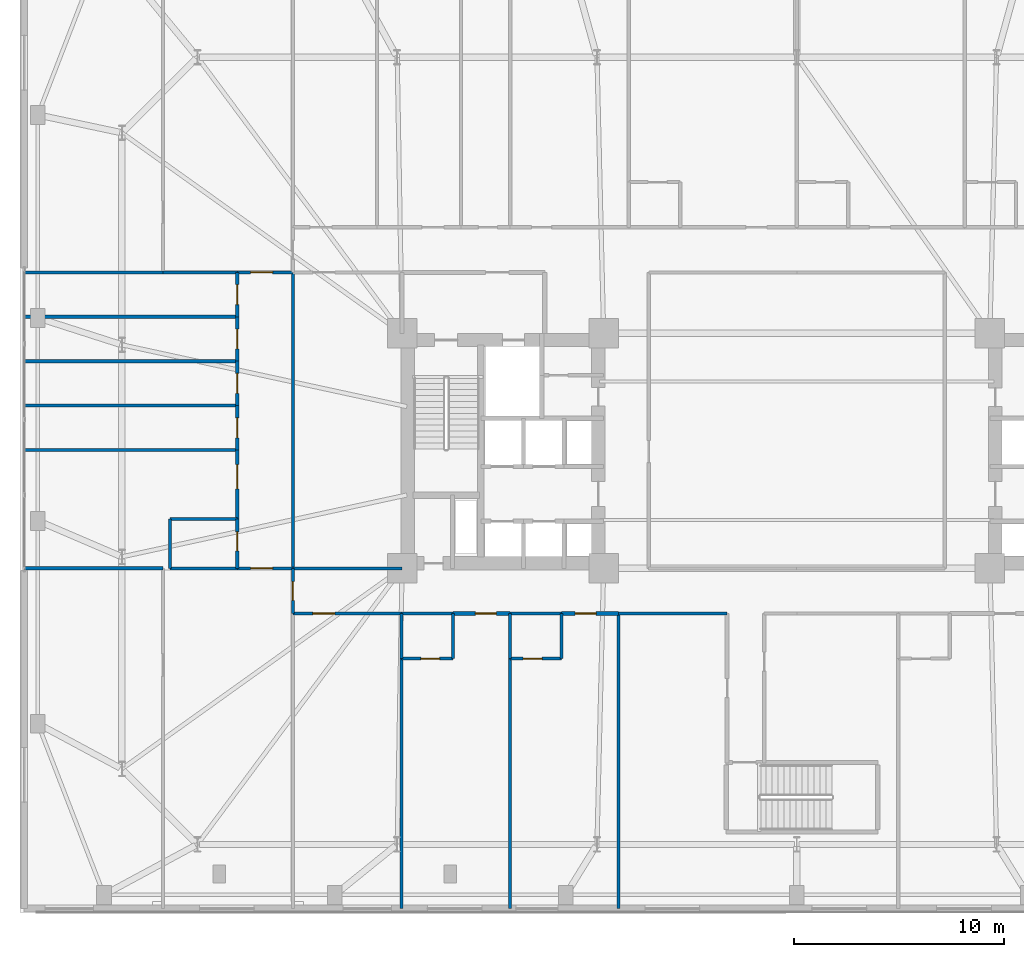
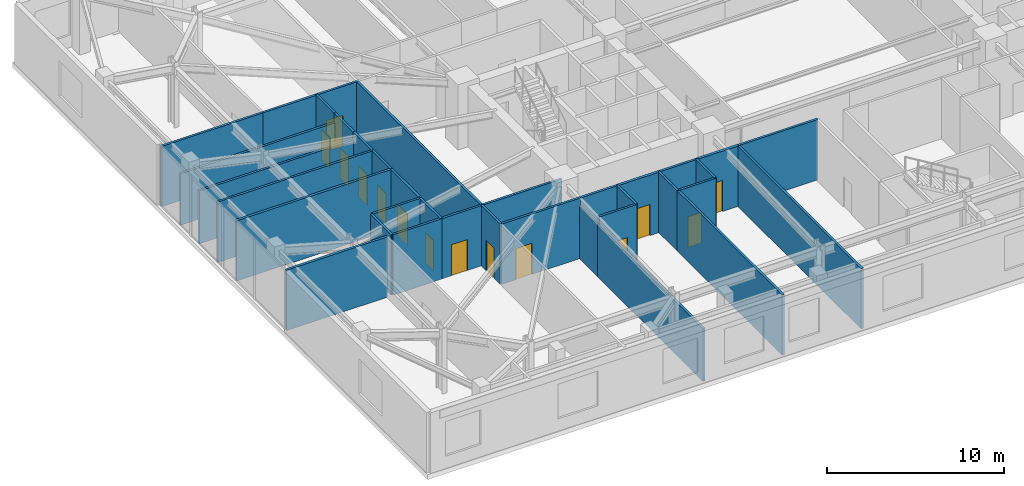
# One storey, part 11 of 21: 36 walls, 14 doors, 14 openings.
"""IFC4 building model written with IfcOpenShell, lengths in metres."""

from ifc_helpers import new_model, si_unit, direction, frame, frame_2d, origin, place, context, subcontext, project, spatial, rectangle, extrude, material, layer, layer_set, type_object, element, fill, save


model = new_model("IFC4")

# Units and contexts
model_context = context("Model", 3, precision=1e-05, world=origin(), true_north=direction((0.0, 1.0)))
body_context = subcontext(model_context, "Body", "Model", "MODEL_VIEW")
ifc_project = project(units=[si_unit("LENGTHUNIT", "METRE"), si_unit("AREAUNIT", "SQUARE_METRE"), si_unit("VOLUMEUNIT", "CUBIC_METRE"), si_unit("PLANEANGLEUNIT", "RADIAN"), si_unit("MASSUNIT", "GRAM", prefix="KILO")], contexts=[model_context])

# Site, building, storey
site_placement = place(None, origin())
site = spatial("IfcSite", under=ifc_project, at=site_placement, CompositionType="ELEMENT")
building_placement = place(site_placement, origin())
building = spatial("IfcBuilding", under=site, at=building_placement, Name="Qobustan Lattice House", CompositionType="ELEMENT")
storey_placement = place(building_placement, frame((0.0, 0.0, 18.0)))
storey = spatial("IfcBuildingStorey", under=building, at=storey_placement, Name="L04", CompositionType="ELEMENT", Elevation=18.0)

# Wall, opening, door
ifc_material_1 = material(Name="Gypsum fireboard acoustic partition", Category="gypsum")
ifc_layer_1 = layer(ifc_material_1, 0.179931640625)
ifc_layer_set_1 = layer_set([ifc_layer_1], Name="Gypsum fireboard acoustic partition")
wall_type_1 = type_object("IfcWallType", Name="WAL-FIRE-180", PredefinedType="PARTITIONING", material=ifc_layer_set_1)
wall_1_placement = place(storey_placement, frame((-13.659912109375, -7.75, 0.0), z_axis=(0.0, 0.0, 1.0), x_axis=(-1.0, 0.0, 0.0)))
wall_1 = element("IfcWall", 1, at=wall_1_placement, inside=storey, type_object=wall_type_1, Name="L04 interior partition 58", PredefinedType="PARTITIONING", context=body_context, shape_type="SweptSolid", body=[
    extrude(rectangle(XDim=2.719970703125, YDim=0.179931640625, at=frame_2d((1.35986328125, 0.0))), origin(), (0.0, 0.0, 1.0), 4.169921875),
])
opening_1_placement = place(wall_1_placement, frame((0.64990234375, 0.0, 0.0)))
opening_1 = element("IfcOpeningElement", 2, at=opening_1_placement, cuts=wall_1, Name="Opening FD-02", PredefinedType="OPENING", context=body_context, shape_type="SweptSolid", body=[
    extrude(rectangle(XDim=1.0, YDim=2.14990234375, at=frame_2d((0.5, 1.074951171875))), frame((0.0, 0.099853515625, 0.0), z_axis=(0.0, -1.0, 0.0), x_axis=(1.0, 0.0, 0.0)), (0.0, 0.0, 1.0), 0.199951171875),
])
ifc_material_2 = material(Name="Persian walnut timber and steel frame door", Category="steel")
door_type_1 = type_object("IfcDoorType", Name="DOR-UNIT-FD-1000x2150", OperationType="NOTDEFINED", PredefinedType="DOOR", material=ifc_material_2)
door_1_placement = place(opening_1_placement, origin())
door_1 = element("IfcDoor", 3, at=door_1_placement, inside=storey, type_object=door_type_1, Name="L04 South-west podium corridor to Kitchenette and studio apartment L04-S2 door", OperationType="SINGLE_SWING_RIGHT", OverallHeight=2.14990234375, OverallWidth=1.0, PredefinedType="DOOR", context=body_context, shape_type="SweptSolid", body=[
    extrude(rectangle(XDim=1.0, YDim=2.14990234375, at=frame_2d((0.5, 1.074951171875))), frame((0.0, 0.02490234375, 0.0), z_axis=(0.0, -1.0, 0.0), x_axis=(1.0, 0.0, 0.0)), (0.0, 0.0, 1.0), 0.050048828125),
])
fill(opening_1, door_1)

wall_2_placement = place(storey_placement, frame((-8.489990234375, -7.75, 0.0), z_axis=(0.0, 0.0, 1.0), x_axis=(-1.0, 0.0, 0.0)))
wall_2 = element("IfcWall", 4, at=wall_2_placement, inside=storey, type_object=wall_type_1, Name="L04 interior partition 60", PredefinedType="PARTITIONING", context=body_context, shape_type="SweptSolid", body=[
    extrude(rectangle(XDim=2.719970703125, YDim=0.179931640625, at=frame_2d((1.35986328125, 0.0))), origin(), (0.0, 0.0, 1.0), 4.169921875),
])
opening_2_placement = place(wall_2_placement, frame((1.070068359375, 0.0, 0.0)))
opening_2 = element("IfcOpeningElement", 5, at=opening_2_placement, cuts=wall_2, Name="Opening FD-02", PredefinedType="OPENING", context=body_context, shape_type="SweptSolid", body=[
    extrude(rectangle(XDim=1.0, YDim=2.14990234375, at=frame_2d((0.5, 1.074951171875))), frame((0.0, 0.099853515625, 0.0), z_axis=(0.0, -1.0, 0.0), x_axis=(1.0, 0.0, 0.0)), (0.0, 0.0, 1.0), 0.199951171875),
])
door_2_placement = place(opening_2_placement, origin())
door_2 = element("IfcDoor", 6, at=door_2_placement, inside=storey, type_object=door_type_1, Name="L04 South-west podium corridor to Kitchenette and studio apartment L04-S3 door", OperationType="SINGLE_SWING_LEFT", OverallHeight=2.14990234375, OverallWidth=1.0, PredefinedType="DOOR", context=body_context, shape_type="SweptSolid", body=[
    extrude(rectangle(XDim=1.0, YDim=2.14990234375, at=frame_2d((0.5, 1.074951171875))), frame((0.0, 0.02490234375, 0.0), z_axis=(0.0, -1.0, 0.0), x_axis=(1.0, 0.0, 0.0)), (0.0, 0.0, 1.0), 0.050048828125),
])
fill(opening_2, door_2)

ifc_material_3 = material(Name="Acoustic twin-stud gypsum partition", Category="gypsum")
ifc_layer_2 = layer(ifc_material_3, 0.14990234375)
ifc_layer_set_2 = layer_set([ifc_layer_2], Name="Acoustic twin-stud gypsum partition")
wall_type_2 = type_object("IfcWallType", Name="WAL-PART-150", PredefinedType="PARTITIONING", material=ifc_layer_set_2)
wall_3_placement = place(storey_placement, frame((-24.0, -7.75, 0.0), z_axis=(0.0, 0.0, 1.0), x_axis=(0.0, 1.0, 0.0)))
wall_3 = element("IfcWall", 7, at=wall_3_placement, inside=storey, type_object=wall_type_2, Name="L04 interior partition 55", PredefinedType="PARTITIONING", context=body_context, shape_type="SweptSolid", body=[
    extrude(rectangle(XDim=2.14990234375, YDim=0.14990234375, at=frame_2d((1.074951171875, 0.0))), origin(), (0.0, 0.0, 1.0), 4.169921875),
])
opening_3_placement = place(wall_3_placement, frame((0.625, 0.0, 0.0)))
opening_3 = element("IfcOpeningElement", 8, at=opening_3_placement, cuts=wall_3, Name="Opening WD-01", PredefinedType="OPENING", context=body_context, shape_type="SweptSolid", body=[
    extrude(rectangle(XDim=0.89990234375, YDim=2.10009765625, at=frame_2d((0.449951171875, 1.050048828125))), frame((0.0, 0.0849609375, 0.0), z_axis=(0.0, -1.0, 0.0), x_axis=(1.0, 0.0, 0.0)), (0.0, 0.0, 1.0), 0.169921875),
])
ifc_material_4 = material(Name="Persian walnut timber and steel frame door", Category="steel")
door_type_2 = type_object("IfcDoorType", Name="DOR-WET-900x2100", OperationType="NOTDEFINED", PredefinedType="DOOR", material=ifc_material_4)
door_3_placement = place(opening_3_placement, origin())
door_3 = element("IfcDoor", 9, at=door_3_placement, inside=storey, type_object=door_type_2, Name="L04 South-west podium corridor to Reading seminar room L04WS door", OperationType="SINGLE_SWING_RIGHT", OverallHeight=2.10009765625, OverallWidth=0.89990234375, PredefinedType="DOOR", context=body_context, shape_type="SweptSolid", body=[
    extrude(rectangle(XDim=0.89990234375, YDim=2.10009765625, at=frame_2d((0.449951171875, 1.050048828125))), frame((0.0, 0.02490234375, 0.0), z_axis=(0.0, -1.0, 0.0), x_axis=(1.0, 0.0, 0.0)), (0.0, 0.0, 1.0), 0.050048828125),
])
fill(opening_3, door_3)

# Wall
wall_4_placement = place(storey_placement, frame((-24.0, -5.60009765625, 0.0), z_axis=(0.0, 0.0, 1.0), x_axis=(1.0, 0.0, 0.0)))
element("IfcWall", 10, at=wall_4_placement, inside=storey, type_object=wall_type_2, Name="L04 interior partition 56", PredefinedType="PARTITIONING", context=body_context, shape_type="SweptSolid", body=[
    extrude(rectangle(XDim=5.199951171875, YDim=0.14990234375, at=frame_2d((2.60009765625, 0.0))), origin(), (0.0, 0.0, 1.0), 4.169921875),
])

# Wall, opening, door
wall_5_placement = place(storey_placement, frame((-18.830078125, -7.75, 0.0), z_axis=(0.0, 0.0, 1.0), x_axis=(-1.0, 0.0, 0.0)))
wall_5 = element("IfcWall", 11, at=wall_5_placement, inside=storey, type_object=wall_type_2, Name="L04 interior partition 57", PredefinedType="PARTITIONING", context=body_context, shape_type="SweptSolid", body=[
    extrude(rectangle(XDim=5.169921875, YDim=0.14990234375, at=frame_2d((2.5849609375, 0.0))), origin(), (0.0, 0.0, 1.0), 4.169921875),
])
opening_4_placement = place(wall_5_placement, frame((3.169921875, 0.0, 0.0)))
opening_4 = element("IfcOpeningElement", 12, at=opening_4_placement, cuts=wall_5, Name="Opening ID-02", PredefinedType="OPENING", context=body_context, shape_type="SweptSolid", body=[
    extrude(rectangle(XDim=1.050048828125, YDim=2.14990234375, at=frame_2d((0.52490234375, 1.074951171875))), frame((0.0, 0.0849609375, 0.0), z_axis=(0.0, -1.0, 0.0), x_axis=(1.0, 0.0, 0.0)), (0.0, 0.0, 1.0), 0.169921875),
])
ifc_material_5 = material(Name="Persian walnut timber and steel frame door", Category="steel")
door_type_3 = type_object("IfcDoorType", Name="DOR-STUDY-1050x2150", OperationType="NOTDEFINED", PredefinedType="DOOR", material=ifc_material_5)
door_4_placement = place(opening_4_placement, origin())
door_4 = element("IfcDoor", 13, at=door_4_placement, inside=storey, type_object=door_type_3, Name="L04 South-west podium corridor to Focus study room S1 door", OperationType="SINGLE_SWING_LEFT", OverallHeight=2.14990234375, OverallWidth=1.050048828125, PredefinedType="DOOR", context=body_context, shape_type="SweptSolid", body=[
    extrude(rectangle(XDim=1.050048828125, YDim=2.14990234375, at=frame_2d((0.52490234375, 1.074951171875))), frame((0.0, 0.02490234375, 0.0), z_axis=(0.0, -1.0, 0.0), x_axis=(1.0, 0.0, 0.0)), (0.0, 0.0, 1.0), 0.050048828125),
])
fill(opening_4, door_4)

# Wall
wall_6_placement = place(storey_placement, frame((-3.320068359375, -7.75, 0.0), z_axis=(0.0, 0.0, 1.0), x_axis=(-1.0, 0.0, 0.0)))
element("IfcWall", 14, at=wall_6_placement, inside=storey, type_object=wall_type_2, Name="L04 interior partition 62", PredefinedType="PARTITIONING", context=body_context, shape_type="SweptSolid", body=[
    extrude(rectangle(XDim=5.169921875, YDim=0.14990234375, at=frame_2d((2.5849609375, 0.0))), origin(), (0.0, 0.0, 1.0), 4.169921875),
])

# Wall, opening, door
wall_7_placement = place(storey_placement, frame((-26.64990234375, 8.5, 0.0), z_axis=(0.0, 0.0, 1.0), x_axis=(1.0, 0.0, 0.0)))
wall_7 = element("IfcWall", 15, at=wall_7_placement, inside=storey, type_object=wall_type_2, Name="L04 interior partition 79", PredefinedType="PARTITIONING", context=body_context, shape_type="SweptSolid", body=[
    extrude(rectangle(XDim=2.64990234375, YDim=0.14990234375, at=frame_2d((1.324951171875, 0.0))), origin(), (0.0, 0.0, 1.0), 4.169921875),
])
opening_5_placement = place(wall_7_placement, frame((0.635009765625, 0.0, 0.0)))
opening_5 = element("IfcOpeningElement", 16, at=opening_5_placement, cuts=wall_7, Name="Opening ID-02", PredefinedType="OPENING", context=body_context, shape_type="SweptSolid", body=[
    extrude(rectangle(XDim=1.050048828125, YDim=2.14990234375, at=frame_2d((0.52490234375, 1.074951171875))), frame((0.0, 0.0849609375, 0.0), z_axis=(0.0, -1.0, 0.0), x_axis=(1.0, 0.0, 0.0)), (0.0, 0.0, 1.0), 0.169921875),
])
door_5_placement = place(opening_5_placement, origin())
door_5 = element("IfcDoor", 17, at=door_5_placement, inside=storey, type_object=door_type_3, Name="L04 Residence entrance hall L04W to Reading seminar room L04WN door", OperationType="SINGLE_SWING_RIGHT", OverallHeight=2.14990234375, OverallWidth=1.050048828125, PredefinedType="DOOR", context=body_context, shape_type="SweptSolid", body=[
    extrude(rectangle(XDim=1.050048828125, YDim=2.14990234375, at=frame_2d((0.52490234375, 1.074951171875))), frame((0.0, 0.02490234375, 0.0), z_axis=(0.0, -1.0, 0.0), x_axis=(1.0, 0.0, 0.0)), (0.0, 0.0, 1.0), 0.050048828125),
])
fill(opening_5, door_5)

wall_8_placement = place(storey_placement, frame((-24.0, -5.60009765625, 0.0), z_axis=(0.0, 0.0, 1.0), x_axis=(-1.0, 0.0, 0.0)))
wall_8 = element("IfcWall", 18, at=wall_8_placement, inside=storey, type_object=wall_type_2, Name="L04 interior partition 80", PredefinedType="PARTITIONING", context=body_context, shape_type="SweptSolid", body=[
    extrude(rectangle(XDim=2.64990234375, YDim=0.14990234375, at=frame_2d((1.324951171875, 0.0))), origin(), (0.0, 0.0, 1.0), 4.169921875),
])
opening_6_placement = place(wall_8_placement, frame((0.965087890625, 0.0, 0.0)))
opening_6 = element("IfcOpeningElement", 19, at=opening_6_placement, cuts=wall_8, Name="Opening ID-02", PredefinedType="OPENING", context=body_context, shape_type="SweptSolid", body=[
    extrude(rectangle(XDim=1.050048828125, YDim=2.14990234375, at=frame_2d((0.52490234375, 1.074951171875))), frame((0.0, 0.0849609375, 0.0), z_axis=(0.0, -1.0, 0.0), x_axis=(1.0, 0.0, 0.0)), (0.0, 0.0, 1.0), 0.169921875),
])
door_6_placement = place(opening_6_placement, origin())
door_6 = element("IfcDoor", 20, at=door_6_placement, inside=storey, type_object=door_type_3, Name="L04 Residence entrance hall L04W to Reading seminar room L04WS door", OperationType="SINGLE_SWING_LEFT", OverallHeight=2.14990234375, OverallWidth=1.050048828125, PredefinedType="DOOR", context=body_context, shape_type="SweptSolid", body=[
    extrude(rectangle(XDim=1.050048828125, YDim=2.14990234375, at=frame_2d((0.52490234375, 1.074951171875))), frame((0.0, 0.02490234375, 0.0), z_axis=(0.0, -1.0, 0.0), x_axis=(1.0, 0.0, 0.0)), (0.0, 0.0, 1.0), 0.050048828125),
])
fill(opening_6, door_6)

wall_9_placement = place(storey_placement, frame((-26.64990234375, 0.0400390625, 0.0), z_axis=(0.0, 0.0, 1.0), x_axis=(0.0, 1.0, 0.0)))
wall_9 = element("IfcWall", 21, at=wall_9_placement, inside=storey, type_object=wall_type_2, Name="L04 interior partition 83", PredefinedType="PARTITIONING", context=body_context, shape_type="SweptSolid", body=[
    extrude(rectangle(XDim=2.114990234375, YDim=0.14990234375, at=frame_2d((1.0576171875, 0.0))), origin(), (0.0, 0.0, 1.0), 4.169921875),
])
opening_7_placement = place(wall_9_placement, frame((0.58251953125, 0.0, 0.0)))
opening_7 = element("IfcOpeningElement", 22, at=opening_7_placement, cuts=wall_9, Name="Opening ID-01", PredefinedType="OPENING", context=body_context, shape_type="SweptSolid", body=[
    extrude(rectangle(XDim=0.949951171875, YDim=2.10009765625, at=frame_2d((0.47509765625, 1.050048828125))), frame((0.0, 0.0849609375, 0.0), z_axis=(0.0, -1.0, 0.0), x_axis=(1.0, 0.0, 0.0)), (0.0, 0.0, 1.0), 0.169921875),
])
ifc_material_6 = material(Name="Persian walnut timber and steel frame door", Category="steel")
door_type_4 = type_object("IfcDoorType", Name="DOR-ROOM-950x2100", OperationType="NOTDEFINED", PredefinedType="DOOR", material=ifc_material_6)
door_7_placement = place(opening_7_placement, origin())
door_7 = element("IfcDoor", 23, at=door_7_placement, inside=storey, type_object=door_type_4, Name="L04 Residence entrance hall L04W to Cluster bedroom L04W1 door", OperationType="SINGLE_SWING_RIGHT", OverallHeight=2.10009765625, OverallWidth=0.949951171875, PredefinedType="DOOR", context=body_context, shape_type="SweptSolid", body=[
    extrude(rectangle(XDim=0.949951171875, YDim=2.10009765625, at=frame_2d((0.47509765625, 1.050048828125))), frame((0.0, 0.02490234375, 0.0), z_axis=(0.0, -1.0, 0.0), x_axis=(1.0, 0.0, 0.0)), (0.0, 0.0, 1.0), 0.050048828125),
])
fill(opening_7, door_7)

wall_10_placement = place(storey_placement, frame((-26.64990234375, 2.155029296875, 0.0), z_axis=(0.0, 0.0, 1.0), x_axis=(0.0, 1.0, 0.0)))
wall_10 = element("IfcWall", 24, at=wall_10_placement, inside=storey, type_object=wall_type_2, Name="L04 interior partition 84", PredefinedType="PARTITIONING", context=body_context, shape_type="SweptSolid", body=[
    extrude(rectangle(XDim=2.114990234375, YDim=0.14990234375, at=frame_2d((1.0576171875, 0.0))), origin(), (0.0, 0.0, 1.0), 4.169921875),
])
opening_8_placement = place(wall_10_placement, frame((0.58251953125, 0.0, 0.0)))
opening_8 = element("IfcOpeningElement", 25, at=opening_8_placement, cuts=wall_10, Name="Opening ID-01", PredefinedType="OPENING", context=body_context, shape_type="SweptSolid", body=[
    extrude(rectangle(XDim=0.949951171875, YDim=2.10009765625, at=frame_2d((0.47509765625, 1.050048828125))), frame((0.0, 0.0849609375, 0.0), z_axis=(0.0, -1.0, 0.0), x_axis=(1.0, 0.0, 0.0)), (0.0, 0.0, 1.0), 0.169921875),
])
door_8_placement = place(opening_8_placement, origin())
door_8 = element("IfcDoor", 26, at=door_8_placement, inside=storey, type_object=door_type_4, Name="L04 Residence entrance hall L04W to Cluster bedroom L04W2 door", OperationType="SINGLE_SWING_LEFT", OverallHeight=2.10009765625, OverallWidth=0.949951171875, PredefinedType="DOOR", context=body_context, shape_type="SweptSolid", body=[
    extrude(rectangle(XDim=0.949951171875, YDim=2.10009765625, at=frame_2d((0.47509765625, 1.050048828125))), frame((0.0, 0.02490234375, 0.0), z_axis=(0.0, -1.0, 0.0), x_axis=(1.0, 0.0, 0.0)), (0.0, 0.0, 1.0), 0.050048828125),
])
fill(opening_8, door_8)

wall_11_placement = place(storey_placement, frame((-26.64990234375, 4.27001953125, 0.0), z_axis=(0.0, 0.0, 1.0), x_axis=(0.0, 1.0, 0.0)))
wall_11 = element("IfcWall", 27, at=wall_11_placement, inside=storey, type_object=wall_type_2, Name="L04 interior partition 85", PredefinedType="PARTITIONING", context=body_context, shape_type="SweptSolid", body=[
    extrude(rectangle(XDim=2.114990234375, YDim=0.14990234375, at=frame_2d((1.0576171875, 0.0))), origin(), (0.0, 0.0, 1.0), 4.169921875),
])
opening_9_placement = place(wall_11_placement, frame((0.58251953125, 0.0, 0.0)))
opening_9 = element("IfcOpeningElement", 28, at=opening_9_placement, cuts=wall_11, Name="Opening ID-01", PredefinedType="OPENING", context=body_context, shape_type="SweptSolid", body=[
    extrude(rectangle(XDim=0.949951171875, YDim=2.10009765625, at=frame_2d((0.47509765625, 1.050048828125))), frame((0.0, 0.0849609375, 0.0), z_axis=(0.0, -1.0, 0.0), x_axis=(1.0, 0.0, 0.0)), (0.0, 0.0, 1.0), 0.169921875),
])
door_9_placement = place(opening_9_placement, origin())
door_9 = element("IfcDoor", 29, at=door_9_placement, inside=storey, type_object=door_type_4, Name="L04 Residence entrance hall L04W to Cluster bedroom L04W3 door", OperationType="SINGLE_SWING_RIGHT", OverallHeight=2.10009765625, OverallWidth=0.949951171875, PredefinedType="DOOR", context=body_context, shape_type="SweptSolid", body=[
    extrude(rectangle(XDim=0.949951171875, YDim=2.10009765625, at=frame_2d((0.47509765625, 1.050048828125))), frame((0.0, 0.02490234375, 0.0), z_axis=(0.0, -1.0, 0.0), x_axis=(1.0, 0.0, 0.0)), (0.0, 0.0, 1.0), 0.050048828125),
])
fill(opening_9, door_9)

wall_12_placement = place(storey_placement, frame((-26.64990234375, 6.385009765625, 0.0), z_axis=(0.0, 0.0, 1.0), x_axis=(0.0, 1.0, 0.0)))
wall_12 = element("IfcWall", 30, at=wall_12_placement, inside=storey, type_object=wall_type_2, Name="L04 interior partition 86", PredefinedType="PARTITIONING", context=body_context, shape_type="SweptSolid", body=[
    extrude(rectangle(XDim=2.114990234375, YDim=0.14990234375, at=frame_2d((1.0576171875, 0.0))), origin(), (0.0, 0.0, 1.0), 4.169921875),
])
opening_10_placement = place(wall_12_placement, frame((0.58251953125, 0.0, 0.0)))
opening_10 = element("IfcOpeningElement", 31, at=opening_10_placement, cuts=wall_12, Name="Opening ID-01", PredefinedType="OPENING", context=body_context, shape_type="SweptSolid", body=[
    extrude(rectangle(XDim=0.949951171875, YDim=2.10009765625, at=frame_2d((0.47509765625, 1.050048828125))), frame((0.0, 0.0849609375, 0.0), z_axis=(0.0, -1.0, 0.0), x_axis=(1.0, 0.0, 0.0)), (0.0, 0.0, 1.0), 0.169921875),
])
door_10_placement = place(opening_10_placement, origin())
door_10 = element("IfcDoor", 32, at=door_10_placement, inside=storey, type_object=door_type_4, Name="L04 Residence entrance hall L04W to Cluster bedroom L04W4 door", OperationType="SINGLE_SWING_LEFT", OverallHeight=2.10009765625, OverallWidth=0.949951171875, PredefinedType="DOOR", context=body_context, shape_type="SweptSolid", body=[
    extrude(rectangle(XDim=0.949951171875, YDim=2.10009765625, at=frame_2d((0.47509765625, 1.050048828125))), frame((0.0, 0.02490234375, 0.0), z_axis=(0.0, -1.0, 0.0), x_axis=(1.0, 0.0, 0.0)), (0.0, 0.0, 1.0), 0.050048828125),
])
fill(opening_10, door_10)

# Walls
wall_13_placement = place(storey_placement, frame((-24.0, 8.5, 0.0), z_axis=(0.0, 0.0, 1.0), x_axis=(0.0, -1.0, 0.0)))
element("IfcWall", 33, at=wall_13_placement, inside=storey, type_object=wall_type_2, Name="L04 interior partition 87", PredefinedType="PARTITIONING", context=body_context, shape_type="SweptSolid", body=[
    extrude(rectangle(XDim=14.10009765625, YDim=0.14990234375, at=frame_2d((7.050048828125, 0.0))), origin(), (0.0, 0.0, 1.0), 4.169921875),
])
wall_14_placement = place(storey_placement, frame((-26.64990234375, 8.5, 0.0), z_axis=(0.0, 0.0, 1.0), x_axis=(-1.0, 0.0, 0.0)))
element("IfcWall", 34, at=wall_14_placement, inside=storey, type_object=wall_type_2, Name="L04 interior partition 89", PredefinedType="PARTITIONING", context=body_context, shape_type="SweptSolid", body=[
    extrude(rectangle(XDim=3.5400390625, YDim=0.14990234375, at=frame_2d((1.77001953125, 0.0))), origin(), (0.0, 0.0, 1.0), 4.169921875),
])
wall_15_placement = place(storey_placement, frame((-30.18994140625, 8.5, 0.0), z_axis=(0.0, 0.0, 1.0), x_axis=(-1.0, 0.0, 0.0)))
element("IfcWall", 35, at=wall_15_placement, inside=storey, type_object=wall_type_2, Name="L04 interior partition 91", PredefinedType="PARTITIONING", context=body_context, shape_type="SweptSolid", body=[
    extrude(rectangle(XDim=6.610107421875, YDim=0.14990234375, at=frame_2d((3.30517578125, 0.0))), origin(), (0.0, 0.0, 1.0), 4.169921875),
])
wall_16_placement = place(storey_placement, frame((-36.800048828125, 2.155029296875, 0.0), z_axis=(0.0, 0.0, 1.0), x_axis=(1.0, 0.0, 0.0)))
element("IfcWall", 36, at=wall_16_placement, inside=storey, type_object=wall_type_2, Name="L04 interior partition 99", PredefinedType="PARTITIONING", context=body_context, shape_type="SweptSolid", body=[
    extrude(rectangle(XDim=10.150146484375, YDim=0.14990234375, at=frame_2d((5.0751953125, 0.0))), origin(), (0.0, 0.0, 1.0), 4.169921875),
])
wall_17_placement = place(storey_placement, frame((-36.800048828125, 4.27001953125, 0.0), z_axis=(0.0, 0.0, 1.0), x_axis=(1.0, 0.0, 0.0)))
element("IfcWall", 37, at=wall_17_placement, inside=storey, type_object=wall_type_2, Name="L04 interior partition 100", PredefinedType="PARTITIONING", context=body_context, shape_type="SweptSolid", body=[
    extrude(rectangle(XDim=10.150146484375, YDim=0.14990234375, at=frame_2d((5.0751953125, 0.0))), origin(), (0.0, 0.0, 1.0), 3.655029296875),
])
wall_18_placement = place(storey_placement, frame((-36.800048828125, 6.385009765625, 0.0), z_axis=(0.0, 0.0, 1.0), x_axis=(1.0, 0.0, 0.0)))
element("IfcWall", 38, at=wall_18_placement, inside=storey, type_object=wall_type_2, Name="L04 interior partition 101", PredefinedType="PARTITIONING", context=body_context, shape_type="SweptSolid", body=[
    extrude(rectangle(XDim=10.150146484375, YDim=0.14990234375, at=frame_2d((5.0751953125, 0.0))), origin(), (0.0, 0.0, 1.0), 3.554931640625),
])
wall_19_placement = place(storey_placement, frame((-18.830078125, -9.89990234375, 0.0), z_axis=(0.0, 0.0, 1.0), x_axis=(0.0, -1.0, 0.0)))
element("IfcWall", 39, at=wall_19_placement, inside=storey, type_object=wall_type_2, Name="L04 interior partition 142", PredefinedType="PARTITIONING", context=body_context, shape_type="SweptSolid", body=[
    extrude(rectangle(XDim=11.900146484375, YDim=0.14990234375, at=frame_2d((5.9501953125, 0.0))), origin(), (0.0, 0.0, 1.0), 3.655029296875),
])
wall_20_placement = place(storey_placement, frame((-13.659912109375, -9.89990234375, 0.0), z_axis=(0.0, 0.0, 1.0), x_axis=(0.0, -1.0, 0.0)))
element("IfcWall", 40, at=wall_20_placement, inside=storey, type_object=wall_type_2, Name="L04 interior partition 146", PredefinedType="PARTITIONING", context=body_context, shape_type="SweptSolid", body=[
    extrude(rectangle(XDim=11.900146484375, YDim=0.14990234375, at=frame_2d((5.9501953125, 0.0))), origin(), (0.0, 0.0, 1.0), 4.169921875),
])
wall_21_placement = place(storey_placement, frame((-8.489990234375, -7.75, 0.0), z_axis=(0.0, 0.0, 1.0), x_axis=(0.0, -1.0, 0.0)))
element("IfcWall", 41, at=wall_21_placement, inside=storey, type_object=wall_type_2, Name="L04 interior partition 150", PredefinedType="PARTITIONING", context=body_context, shape_type="SweptSolid", body=[
    extrude(rectangle(XDim=14.050048828125, YDim=0.14990234375, at=frame_2d((7.02490234375, 0.0))), origin(), (0.0, 0.0, 1.0), 4.169921875),
])

# Wall, opening, door
ifc_material_7 = material(Name="High-mass acoustic twin-stud partition", Category="gypsum")
ifc_layer_3 = layer(ifc_material_7, 0.1650390625)
ifc_layer_set_3 = layer_set([ifc_layer_3], Name="High-mass acoustic twin-stud partition")
wall_type_3 = type_object("IfcWallType", Name="WAL-PART-165", PredefinedType="PARTITIONING", material=ifc_layer_set_3)
wall_22_placement = place(storey_placement, frame((-26.64990234375, -3.25, 0.0), z_axis=(0.0, 0.0, 1.0), x_axis=(0.0, 1.0, 0.0)))
wall_22 = element("IfcWall", 42, at=wall_22_placement, inside=storey, type_object=wall_type_3, Name="L04 interior partition 82", PredefinedType="PARTITIONING", context=body_context, shape_type="SweptSolid", body=[
    extrude(rectangle(XDim=3.2900390625, YDim=0.1650390625, at=frame_2d((1.64501953125, 0.0))), origin(), (0.0, 0.0, 1.0), 4.169921875),
])
opening_11_placement = place(wall_22_placement, frame((1.4375, 0.0, 0.0)))
opening_11 = element("IfcOpeningElement", 43, at=opening_11_placement, cuts=wall_22, Name="Opening ID-03", PredefinedType="OPENING", context=body_context, shape_type="SweptSolid", body=[
    extrude(rectangle(XDim=1.14990234375, YDim=2.14990234375, at=frame_2d((0.574951171875, 1.074951171875))), frame((0.0, 0.092529296875, 0.0), z_axis=(0.0, -1.0, 0.0), x_axis=(1.0, 0.0, 0.0)), (0.0, 0.0, 1.0), 0.18505859375),
])
ifc_material_8 = material(Name="Persian walnut timber and steel frame door", Category="steel")
door_type_5 = type_object("IfcDoorType", Name="DOR-KITCH-1150x2150", OperationType="NOTDEFINED", PredefinedType="DOOR", material=ifc_material_8)
door_11_placement = place(opening_11_placement, origin())
door_11 = element("IfcDoor", 44, at=door_11_placement, inside=storey, type_object=door_type_5, Name="L04 Residence entrance hall L04W to Shared kitchen L04W door", OperationType="SINGLE_SWING_LEFT", OverallHeight=2.14990234375, OverallWidth=1.14990234375, PredefinedType="DOOR", context=body_context, shape_type="SweptSolid", body=[
    extrude(rectangle(XDim=1.14990234375, YDim=2.14990234375, at=frame_2d((0.574951171875, 1.074951171875))), frame((0.0, 0.02490234375, 0.0), z_axis=(0.0, -1.0, 0.0), x_axis=(1.0, 0.0, 0.0)), (0.0, 0.0, 1.0), 0.050048828125),
])
fill(opening_11, door_11)

# Walls
wall_23_placement = place(storey_placement, frame((-36.800048828125, -5.60009765625, 0.0), z_axis=(0.0, 0.0, 1.0), x_axis=(1.0, 0.0, 0.0)))
element("IfcWall", 45, at=wall_23_placement, inside=storey, type_object=wall_type_3, Name="L04 interior partition 95", PredefinedType="PARTITIONING", context=body_context, shape_type="SweptSolid", body=[
    extrude(rectangle(XDim=6.610107421875, YDim=0.1650390625, at=frame_2d((3.30517578125, 0.0))), origin(), (0.0, 0.0, 1.0), 4.169921875),
])
wall_24_placement = place(storey_placement, frame((-36.800048828125, 0.0400390625, 0.0), z_axis=(0.0, 0.0, 1.0), x_axis=(1.0, 0.0, 0.0)))
element("IfcWall", 46, at=wall_24_placement, inside=storey, type_object=wall_type_3, Name="L04 interior partition 98", PredefinedType="PARTITIONING", context=body_context, shape_type="SweptSolid", body=[
    extrude(rectangle(XDim=10.150146484375, YDim=0.1650390625, at=frame_2d((5.0751953125, 0.0))), origin(), (0.0, 0.0, 1.0), 4.169921875),
])
ifc_material_9 = material(Name="Moisture-resistant acoustic plumbing wall", Category="gypsum")
ifc_layer_4 = layer(ifc_material_9, 0.14990234375)
ifc_layer_set_4 = layer_set([ifc_layer_4], Name="Moisture-resistant acoustic plumbing wall")
wall_type_4 = type_object("IfcWallType", Name="WAL-WET-150", PredefinedType="PLUMBINGWALL", material=ifc_layer_set_4)
wall_25_placement = place(storey_placement, frame((-16.3798828125, -7.75, 0.0), z_axis=(0.0, 0.0, 1.0), x_axis=(-1.0, 0.0, 0.0)))
element("IfcWall", 47, at=wall_25_placement, inside=storey, type_object=wall_type_4, Name="L04 interior partition 59", PredefinedType="PLUMBINGWALL", context=body_context, shape_type="SweptSolid", body=[
    extrude(rectangle(XDim=2.4501953125, YDim=0.14990234375, at=frame_2d((1.22509765625, 0.0))), origin(), (0.0, 0.0, 1.0), 4.169921875),
])
wall_26_placement = place(storey_placement, frame((-11.2099609375, -7.75, 0.0), z_axis=(0.0, 0.0, 1.0), x_axis=(-1.0, 0.0, 0.0)))
element("IfcWall", 48, at=wall_26_placement, inside=storey, type_object=wall_type_4, Name="L04 interior partition 61", PredefinedType="PLUMBINGWALL", context=body_context, shape_type="SweptSolid", body=[
    extrude(rectangle(XDim=2.449951171875, YDim=0.14990234375, at=frame_2d((1.22509765625, 0.0))), origin(), (0.0, 0.0, 1.0), 4.169921875),
])

# Wall, opening, door
wall_27_placement = place(storey_placement, frame((-26.64990234375, -5.60009765625, 0.0), z_axis=(0.0, 0.0, 1.0), x_axis=(0.0, 1.0, 0.0)))
wall_27 = element("IfcWall", 49, at=wall_27_placement, inside=storey, type_object=wall_type_4, Name="L04 interior partition 81", PredefinedType="PLUMBINGWALL", context=body_context, shape_type="SweptSolid", body=[
    extrude(rectangle(XDim=2.35009765625, YDim=0.14990234375, at=frame_2d((1.175048828125, 0.0))), origin(), (0.0, 0.0, 1.0), 4.169921875),
])
opening_12_placement = place(wall_27_placement, frame((0.833740234375, 0.0, 0.0)))
opening_12 = element("IfcOpeningElement", 50, at=opening_12_placement, cuts=wall_27, Name="Opening WD-01", PredefinedType="OPENING", context=body_context, shape_type="SweptSolid", body=[
    extrude(rectangle(XDim=0.89990234375, YDim=2.10009765625, at=frame_2d((0.449951171875, 1.050048828125))), frame((0.0, 0.0849609375, 0.0), z_axis=(0.0, -1.0, 0.0), x_axis=(1.0, 0.0, 0.0)), (0.0, 0.0, 1.0), 0.169921875),
])
door_12_placement = place(opening_12_placement, origin())
door_12 = element("IfcDoor", 51, at=door_12_placement, inside=storey, type_object=door_type_2, Name="L04 Residence entrance hall L04W to Shared bathroom L04W door", OperationType="SINGLE_SWING_RIGHT", OverallHeight=2.10009765625, OverallWidth=0.89990234375, PredefinedType="DOOR", context=body_context, shape_type="SweptSolid", body=[
    extrude(rectangle(XDim=0.89990234375, YDim=2.10009765625, at=frame_2d((0.449951171875, 1.050048828125))), frame((0.0, 0.02490234375, 0.0), z_axis=(0.0, -1.0, 0.0), x_axis=(1.0, 0.0, 0.0)), (0.0, 0.0, 1.0), 0.050048828125),
])
fill(opening_12, door_12)

# Walls
for number, where, z_axis, x_axis, name in (
    (52, (-29.85009765625, -5.60009765625, 0.0), (0.0, 0.0, 1.0), (1.0, 0.0, 0.0), "L04 interior partition 93"),
    (53, (-29.85009765625, -3.25, 0.0), (0.0, 0.0, 1.0), (1.0, 0.0, 0.0), "L04 interior partition 96"),
):
    element("IfcWall", number, at=place(storey_placement, frame(where, z_axis=z_axis, x_axis=x_axis)), inside=storey, type_object=wall_type_4, Name=name, PredefinedType="PLUMBINGWALL", context=body_context, shape_type="SweptSolid", body=[
        extrude(rectangle(XDim=3.2001953125, YDim=0.14990234375, at=frame_2d((1.60009765625, 0.0))), origin(), (0.0, 0.0, 1.0), 4.169921875),
    ])
wall_28_placement = place(storey_placement, frame((-29.85009765625, -5.60009765625, 0.0), z_axis=(0.0, 0.0, 1.0), x_axis=(0.0, 1.0, 0.0)))
element("IfcWall", 54, at=wall_28_placement, inside=storey, type_object=wall_type_4, Name="L04 interior partition 97", PredefinedType="PLUMBINGWALL", context=body_context, shape_type="SweptSolid", body=[
    extrude(rectangle(XDim=2.35009765625, YDim=0.14990234375, at=frame_2d((1.175048828125, 0.0))), origin(), (0.0, 0.0, 1.0), 4.169921875),
])
wall_29_placement = place(storey_placement, frame((-18.830078125, -7.75, 0.0), z_axis=(0.0, 0.0, 1.0), x_axis=(0.0, -1.0, 0.0)))
element("IfcWall", 55, at=wall_29_placement, inside=storey, type_object=wall_type_4, Name="L04 interior partition 143", PredefinedType="PLUMBINGWALL", context=body_context, shape_type="SweptSolid", body=[
    extrude(rectangle(XDim=2.14990234375, YDim=0.14990234375, at=frame_2d((1.074951171875, 0.0))), origin(), (0.0, 0.0, 1.0), 3.655029296875),
])

# Wall, opening, door
wall_30_placement = place(storey_placement, frame((-18.830078125, -9.89990234375, 0.0), z_axis=(0.0, 0.0, 1.0), x_axis=(1.0, 0.0, 0.0)))
wall_30 = element("IfcWall", 56, at=wall_30_placement, inside=storey, type_object=wall_type_4, Name="L04 interior partition 144", PredefinedType="PLUMBINGWALL", context=body_context, shape_type="SweptSolid", body=[
    extrude(rectangle(XDim=2.4501953125, YDim=0.14990234375, at=frame_2d((1.22509765625, 0.0))), origin(), (0.0, 0.0, 1.0), 4.169921875),
])
opening_13_placement = place(wall_30_placement, frame((0.921142578125, 0.0, 0.0)))
opening_13 = element("IfcOpeningElement", 57, at=opening_13_placement, cuts=wall_30, Name="Opening WD-01", PredefinedType="OPENING", context=body_context, shape_type="SweptSolid", body=[
    extrude(rectangle(XDim=0.89990234375, YDim=2.10009765625, at=frame_2d((0.449951171875, 1.050048828125))), frame((0.0, 0.0849609375, 0.0), z_axis=(0.0, -1.0, 0.0), x_axis=(1.0, 0.0, 0.0)), (0.0, 0.0, 1.0), 0.169921875),
])
door_13_placement = place(opening_13_placement, origin())
door_13 = element("IfcDoor", 58, at=door_13_placement, inside=storey, type_object=door_type_2, Name="L04 Kitchenette and studio apartment L04-S2 to En-suite bathroom L04-S2 door", OperationType="SINGLE_SWING_LEFT", OverallHeight=2.10009765625, OverallWidth=0.89990234375, PredefinedType="DOOR", context=body_context, shape_type="SweptSolid", body=[
    extrude(rectangle(XDim=0.89990234375, YDim=2.10009765625, at=frame_2d((0.449951171875, 1.050048828125))), frame((0.0, 0.02490234375, 0.0), z_axis=(0.0, -1.0, 0.0), x_axis=(1.0, 0.0, 0.0)), (0.0, 0.0, 1.0), 0.050048828125),
])
fill(opening_13, door_13)

# Walls
for number, where, z_axis, x_axis, name in (
    (59, (-16.3798828125, -9.89990234375, 0.0), (0.0, 0.0, 1.0), (0.0, 1.0, 0.0), "L04 interior partition 145"),
    (60, (-13.659912109375, -7.75, 0.0), (0.0, 0.0, 1.0), (0.0, -1.0, 0.0), "L04 interior partition 147"),
):
    element("IfcWall", number, at=place(storey_placement, frame(where, z_axis=z_axis, x_axis=x_axis)), inside=storey, type_object=wall_type_4, Name=name, PredefinedType="PLUMBINGWALL", context=body_context, shape_type="SweptSolid", body=[
        extrude(rectangle(XDim=2.14990234375, YDim=0.14990234375, at=frame_2d((1.074951171875, 0.0))), origin(), (0.0, 0.0, 1.0), 4.169921875),
    ])

# Wall, opening, door
wall_31_placement = place(storey_placement, frame((-13.659912109375, -9.89990234375, 0.0), z_axis=(0.0, 0.0, 1.0), x_axis=(1.0, 0.0, 0.0)))
wall_31 = element("IfcWall", 61, at=wall_31_placement, inside=storey, type_object=wall_type_4, Name="L04 interior partition 148", PredefinedType="PLUMBINGWALL", context=body_context, shape_type="SweptSolid", body=[
    extrude(rectangle(XDim=2.449951171875, YDim=0.14990234375, at=frame_2d((1.22509765625, 0.0))), origin(), (0.0, 0.0, 1.0), 4.169921875),
])
opening_14_placement = place(wall_31_placement, frame((0.628662109375, 0.0, 0.0)))
opening_14 = element("IfcOpeningElement", 62, at=opening_14_placement, cuts=wall_31, Name="Opening WD-01", PredefinedType="OPENING", context=body_context, shape_type="SweptSolid", body=[
    extrude(rectangle(XDim=0.89990234375, YDim=2.10009765625, at=frame_2d((0.449951171875, 1.050048828125))), frame((0.0, 0.0849609375, 0.0), z_axis=(0.0, -1.0, 0.0), x_axis=(1.0, 0.0, 0.0)), (0.0, 0.0, 1.0), 0.169921875),
])
door_14_placement = place(opening_14_placement, origin())
door_14 = element("IfcDoor", 63, at=door_14_placement, inside=storey, type_object=door_type_2, Name="L04 Kitchenette and studio apartment L04-S3 to En-suite bathroom L04-S3 door", OperationType="SINGLE_SWING_RIGHT", OverallHeight=2.10009765625, OverallWidth=0.89990234375, PredefinedType="DOOR", context=body_context, shape_type="SweptSolid", body=[
    extrude(rectangle(XDim=0.89990234375, YDim=2.10009765625, at=frame_2d((0.449951171875, 1.050048828125))), frame((0.0, 0.02490234375, 0.0), z_axis=(0.0, -1.0, 0.0), x_axis=(1.0, 0.0, 0.0)), (0.0, 0.0, 1.0), 0.050048828125),
])
fill(opening_14, door_14)

# Wall
wall_32_placement = place(storey_placement, frame((-11.2099609375, -9.89990234375, 0.0), z_axis=(0.0, 0.0, 1.0), x_axis=(0.0, 1.0, 0.0)))
element("IfcWall", 64, at=wall_32_placement, inside=storey, type_object=wall_type_4, Name="L04 interior partition 149", PredefinedType="PLUMBINGWALL", context=body_context, shape_type="SweptSolid", body=[
    extrude(rectangle(XDim=2.14990234375, YDim=0.14990234375, at=frame_2d((1.074951171875, 0.0))), origin(), (0.0, 0.0, 1.0), 4.169921875),
])

save(model, "model.ifc")
